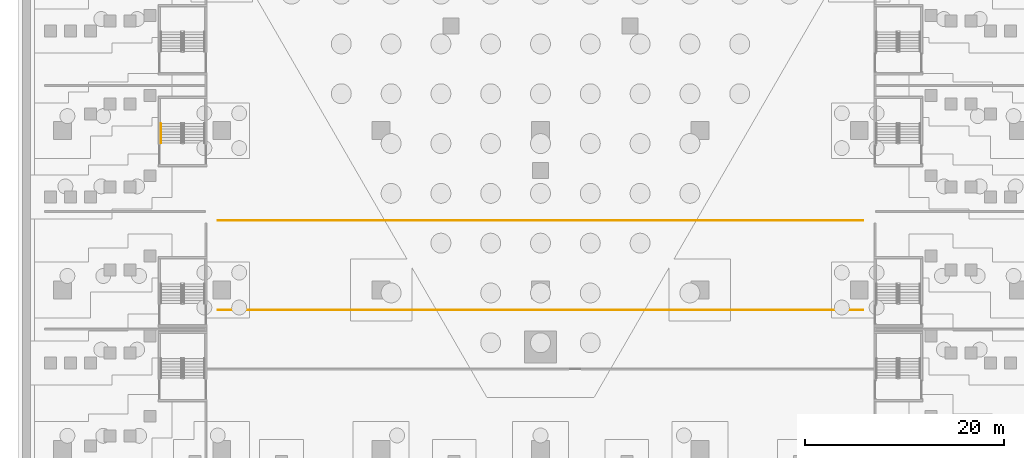
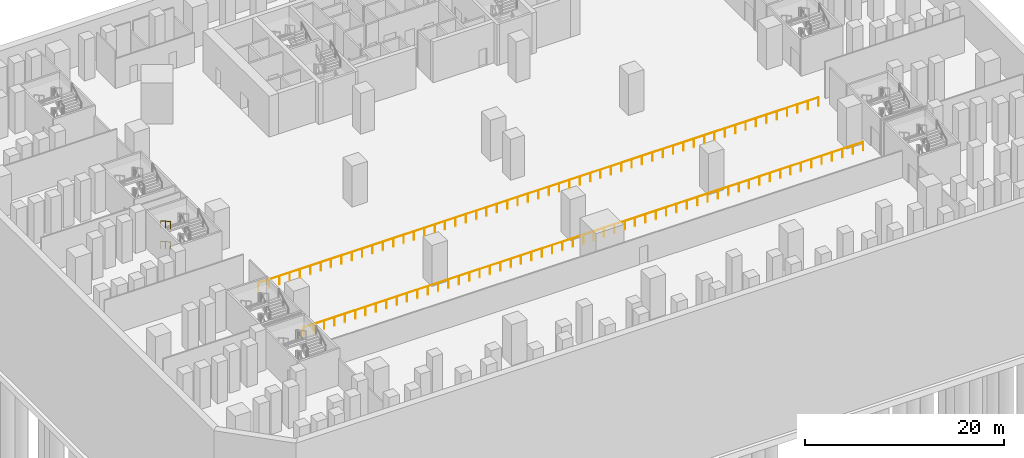
# One storey, part 19 of 27: 4 railings.
"""IFC4 building model written with IfcOpenShell, lengths in metres."""

from ifc_helpers import new_model, si_unit, direction, frame, origin, origin_2d, place, context, subcontext, project, spatial, circle, extrude, material, type_object, element, save


model = new_model("IFC4")

# Units and contexts
model_context = context("Model", 3, precision=1e-05, world=origin(), true_north=direction((0.0, 1.0)))
body_context = subcontext(model_context, "Body", "Model", "MODEL_VIEW")
ifc_project = project(units=[si_unit("LENGTHUNIT", "METRE"), si_unit("AREAUNIT", "SQUARE_METRE"), si_unit("VOLUMEUNIT", "CUBIC_METRE"), si_unit("PLANEANGLEUNIT", "RADIAN"), si_unit("MASSUNIT", "GRAM", prefix="KILO")], contexts=[model_context])

# Site, building, storey
site_placement = place(None, origin())
site = spatial("IfcSite", under=ifc_project, at=site_placement, CompositionType="ELEMENT")
building_placement = place(site_placement, origin())
building = spatial("IfcBuilding", under=site, at=building_placement, Name="Calabash Gate Tower", CompositionType="ELEMENT")
storey_placement = place(building_placement, frame((0.0, 0.0, -10.0)))
storey = spatial("IfcBuildingStorey", under=building, at=storey_placement, Name="B2", CompositionType="ELEMENT", Elevation=-10.0)

# Railings
ifc_material_1 = material(Name="Stainless steel platform edge screen", Category="steel")
railing_type_1 = type_object("IfcRailingType", Name="Platform edge guard RL1100", PredefinedType="GUARDRAIL", material=ifc_material_1)
railing_1_placement = place(storey_placement, frame((-32.39990234375, -17.0, 0.0)))
element("IfcRailing", 1, at=railing_1_placement, inside=storey, type_object=railing_type_1, Name="Platform A edge guard", PredefinedType="GUARDRAIL", context=body_context, shape_type="SweptSolid", body=[
    extrude(circle(Radius=0.02392578125, at=origin_2d()), frame((0.0, 0.0, 1.076171875), z_axis=(1.0, 0.0, 0.0), x_axis=(0.0, 1.0, 0.0)), (0.0, 0.0, 1.0), 64.7998046875),
    extrude(circle(Radius=0.02099609375, at=origin_2d()), origin(), (0.0, 0.0, 1.0), 1.052001953125),
    extrude(circle(Radius=0.02099609375, at=origin_2d()), frame((1.199951171875, 0.0, 0.0)), (0.0, 0.0, 1.0), 1.052001953125),
    extrude(circle(Radius=0.02099609375, at=origin_2d()), frame((2.39990234375, 0.0, 0.0)), (0.0, 0.0, 1.0), 1.052001953125),
    extrude(circle(Radius=0.02099609375, at=origin_2d()), frame((3.60009765625, 0.0, 0.0)), (0.0, 0.0, 1.0), 1.052001953125),
    extrude(circle(Radius=0.02099609375, at=origin_2d()), frame((4.800048828125, 0.0, 0.0)), (0.0, 0.0, 1.0), 1.052001953125),
    extrude(circle(Radius=0.02099609375, at=origin_2d()), frame((6.0, 0.0, 0.0)), (0.0, 0.0, 1.0), 1.052001953125),
    extrude(circle(Radius=0.02099609375, at=origin_2d()), frame((7.199951171875, 0.0, 0.0)), (0.0, 0.0, 1.0), 1.052001953125),
    extrude(circle(Radius=0.02099609375, at=origin_2d()), frame((8.39990234375, 0.0, 0.0)), (0.0, 0.0, 1.0), 1.052001953125),
    extrude(circle(Radius=0.02099609375, at=origin_2d()), frame((9.599853515625, 0.0, 0.0)), (0.0, 0.0, 1.0), 1.052001953125),
    extrude(circle(Radius=0.02099609375, at=origin_2d()), frame((10.800048828125, 0.0, 0.0)), (0.0, 0.0, 1.0), 1.052001953125),
    extrude(circle(Radius=0.02099609375, at=origin_2d()), frame((12.0, 0.0, 0.0)), (0.0, 0.0, 1.0), 1.052001953125),
    extrude(circle(Radius=0.02099609375, at=origin_2d()), frame((13.199951171875, 0.0, 0.0)), (0.0, 0.0, 1.0), 1.052001953125),
    extrude(circle(Radius=0.02099609375, at=origin_2d()), frame((14.39990234375, 0.0, 0.0)), (0.0, 0.0, 1.0), 1.052001953125),
    extrude(circle(Radius=0.02099609375, at=origin_2d()), frame((15.599853515625, 0.0, 0.0)), (0.0, 0.0, 1.0), 1.052001953125),
    extrude(circle(Radius=0.02099609375, at=origin_2d()), frame((16.800048828125, 0.0, 0.0)), (0.0, 0.0, 1.0), 1.052001953125),
    extrude(circle(Radius=0.02099609375, at=origin_2d()), frame((18.0, 0.0, 0.0)), (0.0, 0.0, 1.0), 1.052001953125),
    extrude(circle(Radius=0.02099609375, at=origin_2d()), frame((19.199951171875, 0.0, 0.0)), (0.0, 0.0, 1.0), 1.052001953125),
    extrude(circle(Radius=0.02099609375, at=origin_2d()), frame((20.39990234375, 0.0, 0.0)), (0.0, 0.0, 1.0), 1.052001953125),
    extrude(circle(Radius=0.02099609375, at=origin_2d()), frame((21.599853515625, 0.0, 0.0)), (0.0, 0.0, 1.0), 1.052001953125),
    extrude(circle(Radius=0.02099609375, at=origin_2d()), frame((22.800048828125, 0.0, 0.0)), (0.0, 0.0, 1.0), 1.052001953125),
    extrude(circle(Radius=0.02099609375, at=origin_2d()), frame((24.0, 0.0, 0.0)), (0.0, 0.0, 1.0), 1.052001953125),
    extrude(circle(Radius=0.02099609375, at=origin_2d()), frame((25.199951171875, 0.0, 0.0)), (0.0, 0.0, 1.0), 1.052001953125),
    extrude(circle(Radius=0.02099609375, at=origin_2d()), frame((26.39990234375, 0.0, 0.0)), (0.0, 0.0, 1.0), 1.052001953125),
    extrude(circle(Radius=0.02099609375, at=origin_2d()), frame((27.599853515625, 0.0, 0.0)), (0.0, 0.0, 1.0), 1.052001953125),
    extrude(circle(Radius=0.02099609375, at=origin_2d()), frame((28.7998046875, 0.0, 0.0)), (0.0, 0.0, 1.0), 1.052001953125),
    extrude(circle(Radius=0.02099609375, at=origin_2d()), frame((30.0, 0.0, 0.0)), (0.0, 0.0, 1.0), 1.052001953125),
    extrude(circle(Radius=0.02099609375, at=origin_2d()), frame((31.199951171875, 0.0, 0.0)), (0.0, 0.0, 1.0), 1.052001953125),
    extrude(circle(Radius=0.02099609375, at=origin_2d()), frame((32.39990234375, 0.0, 0.0)), (0.0, 0.0, 1.0), 1.052001953125),
    extrude(circle(Radius=0.02099609375, at=origin_2d()), frame((33.599853515625, 0.0, 0.0)), (0.0, 0.0, 1.0), 1.052001953125),
    extrude(circle(Radius=0.02099609375, at=origin_2d()), frame((34.7998046875, 0.0, 0.0)), (0.0, 0.0, 1.0), 1.052001953125),
    extrude(circle(Radius=0.02099609375, at=origin_2d()), frame((36.0, 0.0, 0.0)), (0.0, 0.0, 1.0), 1.052001953125),
    extrude(circle(Radius=0.02099609375, at=origin_2d()), frame((37.199951171875, 0.0, 0.0)), (0.0, 0.0, 1.0), 1.052001953125),
    extrude(circle(Radius=0.02099609375, at=origin_2d()), frame((38.39990234375, 0.0, 0.0)), (0.0, 0.0, 1.0), 1.052001953125),
    extrude(circle(Radius=0.02099609375, at=origin_2d()), frame((39.599853515625, 0.0, 0.0)), (0.0, 0.0, 1.0), 1.052001953125),
    extrude(circle(Radius=0.02099609375, at=origin_2d()), frame((40.7998046875, 0.0, 0.0)), (0.0, 0.0, 1.0), 1.052001953125),
    extrude(circle(Radius=0.02099609375, at=origin_2d()), frame((41.999755859375, 0.0, 0.0)), (0.0, 0.0, 1.0), 1.052001953125),
    extrude(circle(Radius=0.02099609375, at=origin_2d()), frame((43.199951171875, 0.0, 0.0)), (0.0, 0.0, 1.0), 1.052001953125),
    extrude(circle(Radius=0.02099609375, at=origin_2d()), frame((44.39990234375, 0.0, 0.0)), (0.0, 0.0, 1.0), 1.052001953125),
    extrude(circle(Radius=0.02099609375, at=origin_2d()), frame((45.599853515625, 0.0, 0.0)), (0.0, 0.0, 1.0), 1.052001953125),
    extrude(circle(Radius=0.02099609375, at=origin_2d()), frame((46.7998046875, 0.0, 0.0)), (0.0, 0.0, 1.0), 1.052001953125),
    extrude(circle(Radius=0.02099609375, at=origin_2d()), frame((47.999755859375, 0.0, 0.0)), (0.0, 0.0, 1.0), 1.052001953125),
    extrude(circle(Radius=0.02099609375, at=origin_2d()), frame((49.199951171875, 0.0, 0.0)), (0.0, 0.0, 1.0), 1.052001953125),
    extrude(circle(Radius=0.02099609375, at=origin_2d()), frame((50.39990234375, 0.0, 0.0)), (0.0, 0.0, 1.0), 1.052001953125),
    extrude(circle(Radius=0.02099609375, at=origin_2d()), frame((51.599853515625, 0.0, 0.0)), (0.0, 0.0, 1.0), 1.052001953125),
    extrude(circle(Radius=0.02099609375, at=origin_2d()), frame((52.7998046875, 0.0, 0.0)), (0.0, 0.0, 1.0), 1.052001953125),
    extrude(circle(Radius=0.02099609375, at=origin_2d()), frame((53.999755859375, 0.0, 0.0)), (0.0, 0.0, 1.0), 1.052001953125),
    extrude(circle(Radius=0.02099609375, at=origin_2d()), frame((55.199951171875, 0.0, 0.0)), (0.0, 0.0, 1.0), 1.052001953125),
    extrude(circle(Radius=0.02099609375, at=origin_2d()), frame((56.39990234375, 0.0, 0.0)), (0.0, 0.0, 1.0), 1.052001953125),
    extrude(circle(Radius=0.02099609375, at=origin_2d()), frame((57.599853515625, 0.0, 0.0)), (0.0, 0.0, 1.0), 1.052001953125),
    extrude(circle(Radius=0.02099609375, at=origin_2d()), frame((58.7998046875, 0.0, 0.0)), (0.0, 0.0, 1.0), 1.052001953125),
    extrude(circle(Radius=0.02099609375, at=origin_2d()), frame((59.999755859375, 0.0, 0.0)), (0.0, 0.0, 1.0), 1.052001953125),
    extrude(circle(Radius=0.02099609375, at=origin_2d()), frame((61.19970703125, 0.0, 0.0)), (0.0, 0.0, 1.0), 1.052001953125),
    extrude(circle(Radius=0.02099609375, at=origin_2d()), frame((62.39990234375, 0.0, 0.0)), (0.0, 0.0, 1.0), 1.052001953125),
    extrude(circle(Radius=0.02099609375, at=origin_2d()), frame((63.599853515625, 0.0, 0.0)), (0.0, 0.0, 1.0), 1.052001953125),
    extrude(circle(Radius=0.02099609375, at=origin_2d()), frame((64.7998046875, 0.0, 0.0)), (0.0, 0.0, 1.0), 1.052001953125),
])
railing_2_placement = place(storey_placement, frame((-32.39990234375, -26.0, 0.0)))
element("IfcRailing", 2, at=railing_2_placement, inside=storey, type_object=railing_type_1, Name="Platform B edge guard", PredefinedType="GUARDRAIL", context=body_context, shape_type="SweptSolid", body=[
    extrude(circle(Radius=0.02392578125, at=origin_2d()), frame((0.0, 0.0, 1.076171875), z_axis=(1.0, 0.0, 0.0), x_axis=(0.0, 1.0, 0.0)), (0.0, 0.0, 1.0), 64.7998046875),
    extrude(circle(Radius=0.02099609375, at=origin_2d()), origin(), (0.0, 0.0, 1.0), 1.052001953125),
    extrude(circle(Radius=0.02099609375, at=origin_2d()), frame((1.199951171875, 0.0, 0.0)), (0.0, 0.0, 1.0), 1.052001953125),
    extrude(circle(Radius=0.02099609375, at=origin_2d()), frame((2.39990234375, 0.0, 0.0)), (0.0, 0.0, 1.0), 1.052001953125),
    extrude(circle(Radius=0.02099609375, at=origin_2d()), frame((3.60009765625, 0.0, 0.0)), (0.0, 0.0, 1.0), 1.052001953125),
    extrude(circle(Radius=0.02099609375, at=origin_2d()), frame((4.800048828125, 0.0, 0.0)), (0.0, 0.0, 1.0), 1.052001953125),
    extrude(circle(Radius=0.02099609375, at=origin_2d()), frame((6.0, 0.0, 0.0)), (0.0, 0.0, 1.0), 1.052001953125),
    extrude(circle(Radius=0.02099609375, at=origin_2d()), frame((7.199951171875, 0.0, 0.0)), (0.0, 0.0, 1.0), 1.052001953125),
    extrude(circle(Radius=0.02099609375, at=origin_2d()), frame((8.39990234375, 0.0, 0.0)), (0.0, 0.0, 1.0), 1.052001953125),
    extrude(circle(Radius=0.02099609375, at=origin_2d()), frame((9.599853515625, 0.0, 0.0)), (0.0, 0.0, 1.0), 1.052001953125),
    extrude(circle(Radius=0.02099609375, at=origin_2d()), frame((10.800048828125, 0.0, 0.0)), (0.0, 0.0, 1.0), 1.052001953125),
    extrude(circle(Radius=0.02099609375, at=origin_2d()), frame((12.0, 0.0, 0.0)), (0.0, 0.0, 1.0), 1.052001953125),
    extrude(circle(Radius=0.02099609375, at=origin_2d()), frame((13.199951171875, 0.0, 0.0)), (0.0, 0.0, 1.0), 1.052001953125),
    extrude(circle(Radius=0.02099609375, at=origin_2d()), frame((14.39990234375, 0.0, 0.0)), (0.0, 0.0, 1.0), 1.052001953125),
    extrude(circle(Radius=0.02099609375, at=origin_2d()), frame((15.599853515625, 0.0, 0.0)), (0.0, 0.0, 1.0), 1.052001953125),
    extrude(circle(Radius=0.02099609375, at=origin_2d()), frame((16.800048828125, 0.0, 0.0)), (0.0, 0.0, 1.0), 1.052001953125),
    extrude(circle(Radius=0.02099609375, at=origin_2d()), frame((18.0, 0.0, 0.0)), (0.0, 0.0, 1.0), 1.052001953125),
    extrude(circle(Radius=0.02099609375, at=origin_2d()), frame((19.199951171875, 0.0, 0.0)), (0.0, 0.0, 1.0), 1.052001953125),
    extrude(circle(Radius=0.02099609375, at=origin_2d()), frame((20.39990234375, 0.0, 0.0)), (0.0, 0.0, 1.0), 1.052001953125),
    extrude(circle(Radius=0.02099609375, at=origin_2d()), frame((21.599853515625, 0.0, 0.0)), (0.0, 0.0, 1.0), 1.052001953125),
    extrude(circle(Radius=0.02099609375, at=origin_2d()), frame((22.800048828125, 0.0, 0.0)), (0.0, 0.0, 1.0), 1.052001953125),
    extrude(circle(Radius=0.02099609375, at=origin_2d()), frame((24.0, 0.0, 0.0)), (0.0, 0.0, 1.0), 1.052001953125),
    extrude(circle(Radius=0.02099609375, at=origin_2d()), frame((25.199951171875, 0.0, 0.0)), (0.0, 0.0, 1.0), 1.052001953125),
    extrude(circle(Radius=0.02099609375, at=origin_2d()), frame((26.39990234375, 0.0, 0.0)), (0.0, 0.0, 1.0), 1.052001953125),
    extrude(circle(Radius=0.02099609375, at=origin_2d()), frame((27.599853515625, 0.0, 0.0)), (0.0, 0.0, 1.0), 1.052001953125),
    extrude(circle(Radius=0.02099609375, at=origin_2d()), frame((28.7998046875, 0.0, 0.0)), (0.0, 0.0, 1.0), 1.052001953125),
    extrude(circle(Radius=0.02099609375, at=origin_2d()), frame((30.0, 0.0, 0.0)), (0.0, 0.0, 1.0), 1.052001953125),
    extrude(circle(Radius=0.02099609375, at=origin_2d()), frame((31.199951171875, 0.0, 0.0)), (0.0, 0.0, 1.0), 1.052001953125),
    extrude(circle(Radius=0.02099609375, at=origin_2d()), frame((32.39990234375, 0.0, 0.0)), (0.0, 0.0, 1.0), 1.052001953125),
    extrude(circle(Radius=0.02099609375, at=origin_2d()), frame((33.599853515625, 0.0, 0.0)), (0.0, 0.0, 1.0), 1.052001953125),
    extrude(circle(Radius=0.02099609375, at=origin_2d()), frame((34.7998046875, 0.0, 0.0)), (0.0, 0.0, 1.0), 1.052001953125),
    extrude(circle(Radius=0.02099609375, at=origin_2d()), frame((36.0, 0.0, 0.0)), (0.0, 0.0, 1.0), 1.052001953125),
    extrude(circle(Radius=0.02099609375, at=origin_2d()), frame((37.199951171875, 0.0, 0.0)), (0.0, 0.0, 1.0), 1.052001953125),
    extrude(circle(Radius=0.02099609375, at=origin_2d()), frame((38.39990234375, 0.0, 0.0)), (0.0, 0.0, 1.0), 1.052001953125),
    extrude(circle(Radius=0.02099609375, at=origin_2d()), frame((39.599853515625, 0.0, 0.0)), (0.0, 0.0, 1.0), 1.052001953125),
    extrude(circle(Radius=0.02099609375, at=origin_2d()), frame((40.7998046875, 0.0, 0.0)), (0.0, 0.0, 1.0), 1.052001953125),
    extrude(circle(Radius=0.02099609375, at=origin_2d()), frame((41.999755859375, 0.0, 0.0)), (0.0, 0.0, 1.0), 1.052001953125),
    extrude(circle(Radius=0.02099609375, at=origin_2d()), frame((43.199951171875, 0.0, 0.0)), (0.0, 0.0, 1.0), 1.052001953125),
    extrude(circle(Radius=0.02099609375, at=origin_2d()), frame((44.39990234375, 0.0, 0.0)), (0.0, 0.0, 1.0), 1.052001953125),
    extrude(circle(Radius=0.02099609375, at=origin_2d()), frame((45.599853515625, 0.0, 0.0)), (0.0, 0.0, 1.0), 1.052001953125),
    extrude(circle(Radius=0.02099609375, at=origin_2d()), frame((46.7998046875, 0.0, 0.0)), (0.0, 0.0, 1.0), 1.052001953125),
    extrude(circle(Radius=0.02099609375, at=origin_2d()), frame((47.999755859375, 0.0, 0.0)), (0.0, 0.0, 1.0), 1.052001953125),
    extrude(circle(Radius=0.02099609375, at=origin_2d()), frame((49.199951171875, 0.0, 0.0)), (0.0, 0.0, 1.0), 1.052001953125),
    extrude(circle(Radius=0.02099609375, at=origin_2d()), frame((50.39990234375, 0.0, 0.0)), (0.0, 0.0, 1.0), 1.052001953125),
    extrude(circle(Radius=0.02099609375, at=origin_2d()), frame((51.599853515625, 0.0, 0.0)), (0.0, 0.0, 1.0), 1.052001953125),
    extrude(circle(Radius=0.02099609375, at=origin_2d()), frame((52.7998046875, 0.0, 0.0)), (0.0, 0.0, 1.0), 1.052001953125),
    extrude(circle(Radius=0.02099609375, at=origin_2d()), frame((53.999755859375, 0.0, 0.0)), (0.0, 0.0, 1.0), 1.052001953125),
    extrude(circle(Radius=0.02099609375, at=origin_2d()), frame((55.199951171875, 0.0, 0.0)), (0.0, 0.0, 1.0), 1.052001953125),
    extrude(circle(Radius=0.02099609375, at=origin_2d()), frame((56.39990234375, 0.0, 0.0)), (0.0, 0.0, 1.0), 1.052001953125),
    extrude(circle(Radius=0.02099609375, at=origin_2d()), frame((57.599853515625, 0.0, 0.0)), (0.0, 0.0, 1.0), 1.052001953125),
    extrude(circle(Radius=0.02099609375, at=origin_2d()), frame((58.7998046875, 0.0, 0.0)), (0.0, 0.0, 1.0), 1.052001953125),
    extrude(circle(Radius=0.02099609375, at=origin_2d()), frame((59.999755859375, 0.0, 0.0)), (0.0, 0.0, 1.0), 1.052001953125),
    extrude(circle(Radius=0.02099609375, at=origin_2d()), frame((61.19970703125, 0.0, 0.0)), (0.0, 0.0, 1.0), 1.052001953125),
    extrude(circle(Radius=0.02099609375, at=origin_2d()), frame((62.39990234375, 0.0, 0.0)), (0.0, 0.0, 1.0), 1.052001953125),
    extrude(circle(Radius=0.02099609375, at=origin_2d()), frame((63.599853515625, 0.0, 0.0)), (0.0, 0.0, 1.0), 1.052001953125),
    extrude(circle(Radius=0.02099609375, at=origin_2d()), frame((64.7998046875, 0.0, 0.0)), (0.0, 0.0, 1.0), 1.052001953125),
])
ifc_material_2 = material(Name="Black powder-coated steel tube 48 mm", Category="steel")
railing_type_2 = type_object("IfcRailingType", Name="Stair handrail RL900", PredefinedType="HANDRAIL", material=ifc_material_2)
for number, where, name in (
    (3, (-38.1201171875, -7.287109375, 1.40625), "B2 PS3 stair handrail 2"),
    (4, (-38.1201171875, -7.287109375, 3.90625), "B2 PS3 stair handrail 4"),
):
    element("IfcRailing", number, at=place(storey_placement, frame(where)), inside=storey, type_object=railing_type_2, Name=name, PredefinedType="HANDRAIL", context=body_context, shape_type="SweptSolid", body=[
        extrude(circle(Radius=0.02392578125, at=origin_2d()), frame((0.0, 0.0, 0.8759765625), z_axis=(0.0, -0.872479975208, 0.48864986735), x_axis=(1.0, 0.0, 0.0)), (0.0, 0.0, 1.0), 2.23828125),
        extrude(circle(Radius=0.02099609375, at=origin_2d()), origin(), (0.0, 0.0, 1.0), 0.851806640625),
        extrude(circle(Radius=0.02099609375, at=origin_2d()), frame((0.0, -0.9765625, 0.546875)), (0.0, 0.0, 1.0), 0.851806640625),
        extrude(circle(Radius=0.02099609375, at=origin_2d()), frame((0.0, -1.952880859375, 1.09375)), (0.0, 0.0, 1.0), 0.851806640625),
    ])

save(model, "model.ifc")
